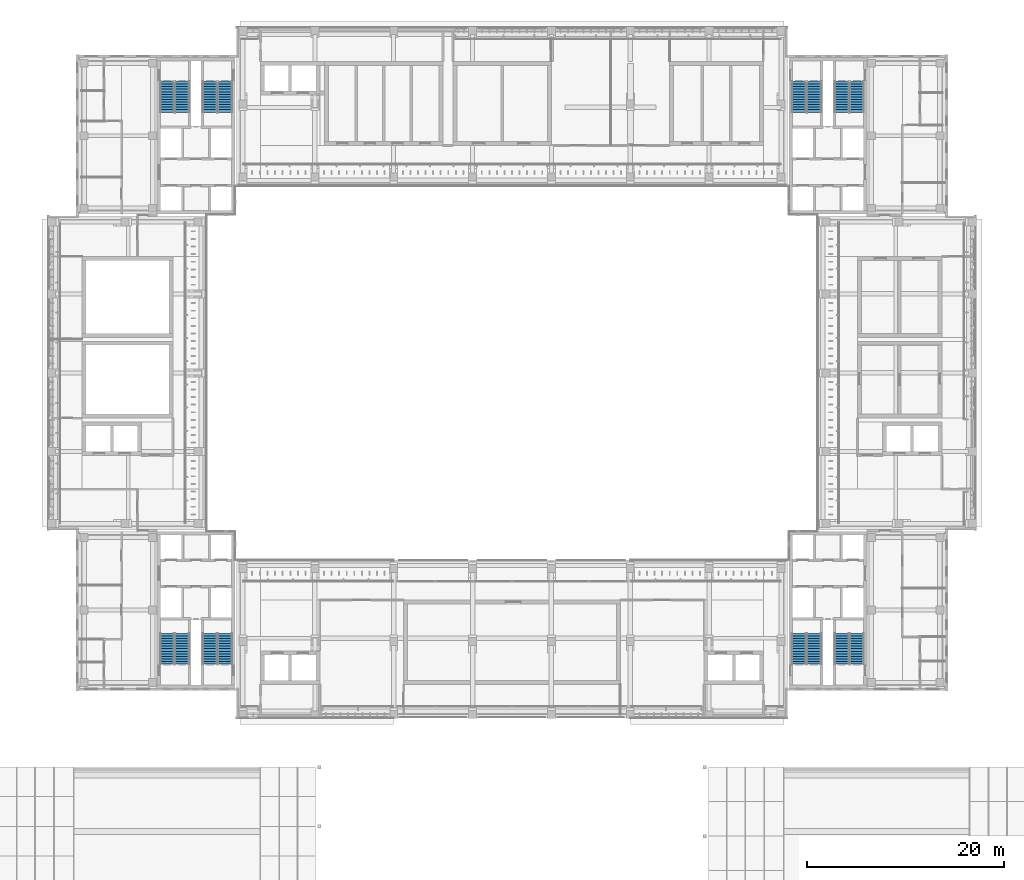
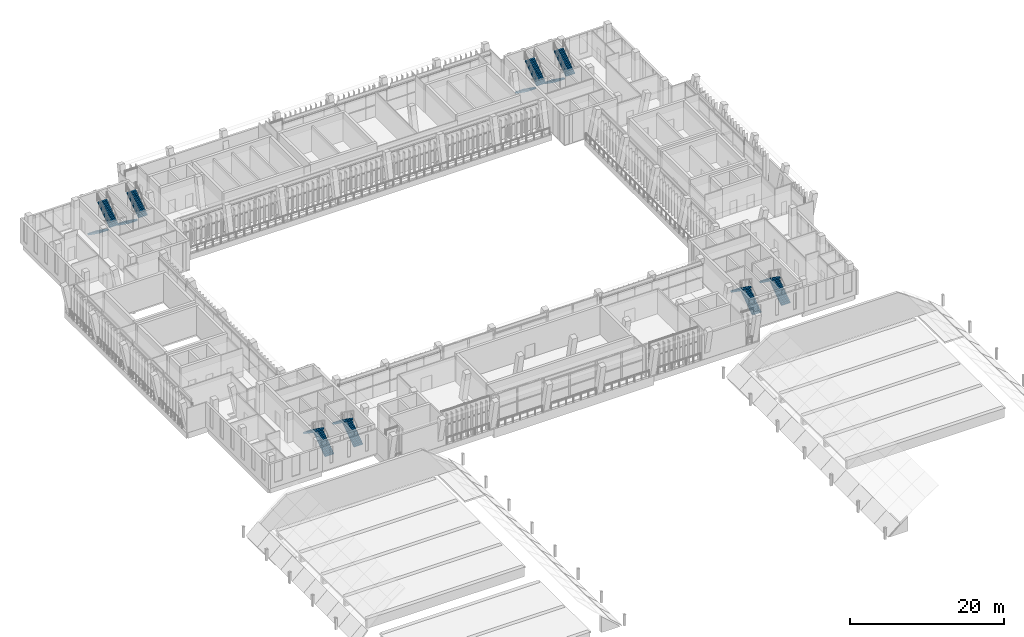
# One storey, part 69 of 89: 16 stair flights, 8 elements without a shape of their own.
"""IFC4 building model written with IfcOpenShell, lengths in metres."""

from ifc_helpers import new_model, si_unit, direction, frame, origin, place, context, subcontext, project, spatial, polyline, outline, extrude, material, type_object, element, aggregate, save


model = new_model("IFC4")

# Units and contexts
model_context = context("Model", 3, precision=1e-05, world=origin(), true_north=direction((0.0, 1.0)))
body_context = subcontext(model_context, "Body", "Model", "MODEL_VIEW")
ifc_project = project(units=[si_unit("LENGTHUNIT", "METRE"), si_unit("AREAUNIT", "SQUARE_METRE"), si_unit("VOLUMEUNIT", "CUBIC_METRE"), si_unit("PLANEANGLEUNIT", "RADIAN"), si_unit("MASSUNIT", "GRAM", prefix="KILO")], contexts=[model_context])

# Site, building, storey
site_placement = place(None, origin())
site = spatial("IfcSite", under=ifc_project, at=site_placement, CompositionType="ELEMENT")
building_placement = place(site_placement, origin())
building = spatial("IfcBuilding", under=site, at=building_placement, Name="Lantern Court Media Centre", CompositionType="ELEMENT")
storey_placement = place(building_placement, frame((0.0, 0.0, 14.39990234375)))
storey = spatial("IfcBuildingStorey", under=building, at=storey_placement, Name="L03", CompositionType="ELEMENT", Elevation=14.39990234375)

# Stair, stair flights
ifc_material = material(Name="Concrete C40", Category="concrete")
stair_type = type_object("IfcStairType", Name="Exit stair 1350", PredefinedType="HALF_TURN_STAIR", material=ifc_material)
stair_1_placement = place(storey_placement, origin())
stair_1 = element("IfcStair", 1, at=stair_1_placement, inside=storey, type_object=stair_type, Name="L03 SW exit stair A", PredefinedType="HALF_TURN_STAIR")
stair_flight_type = type_object("IfcStairFlightType", Name="Stair flight RC 1350", PredefinedType="STRAIGHT", material=ifc_material)
stair_flight_1_placement = place(storey_placement, frame((18.52490234375, 50.449951171875, 0.0), z_axis=(0.0, 0.0, 1.0), x_axis=(0.0, 1.0, 0.0)))
stair_flight_1 = element("IfcStairFlight", 2, at=stair_flight_1_placement, type_object=stair_flight_type, Name="ST-SWA flight 1", NumberOfRisers=13, NumberOfTreads=12, PredefinedType="STRAIGHT", RiserHeight=0.184615385, TreadLength=0.26, context=body_context, shape_type="SweptSolid", body=[
    extrude(outline(polyline([(0.0, 0.0), (0.0, 0.1845703125), (0.260009765625, 0.1845703125), (0.260009765625, 0.369140625), (0.52001953125, 0.369140625), (0.52001953125, 0.553955078125), (0.780029296875, 0.553955078125), (0.780029296875, 0.738525390625), (1.0400390625, 0.738525390625), (1.0400390625, 0.923095703125), (1.300048828125, 0.923095703125), (1.300048828125, 1.107666015625), (1.56005859375, 1.107666015625), (1.56005859375, 1.292236328125), (1.820068359375, 1.292236328125), (1.820068359375, 1.476806640625), (2.080078125, 1.476806640625), (2.080078125, 1.66162109375), (2.340087890625, 1.66162109375), (2.340087890625, 1.84619140625), (2.60009765625, 1.84619140625), (2.60009765625, 2.03076171875), (2.860107421875, 2.03076171875), (2.860107421875, 2.21533203125), (3.1201171875, 2.21533203125), (3.1201171875, 2.39990234375), (3.1201171875, 2.031494140625), (0.259033203125, 0.0), (0.0, 0.0)])), frame((0.0, 0.675048828125, 0.0), z_axis=(0.0, -1.0, 0.0), x_axis=(1.0, 0.0, 0.0)), (0.0, 0.0, 1.0), 1.35009765625),
])
stair_flight_2_placement = place(storey_placement, frame((17.02490234375, 53.570068359375, 2.400146484375), z_axis=(0.0, 0.0, 1.0), x_axis=(0.0, -1.0, 0.0)))
stair_flight_2 = element("IfcStairFlight", 3, at=stair_flight_2_placement, type_object=stair_flight_type, Name="ST-SWA flight 2", NumberOfRisers=13, NumberOfTreads=12, PredefinedType="STRAIGHT", RiserHeight=0.184615385, TreadLength=0.26, context=body_context, shape_type="SweptSolid", body=[
    extrude(outline(polyline([(0.0, 0.0), (0.0, 0.1845703125), (0.260009765625, 0.1845703125), (0.260009765625, 0.369140625), (0.52001953125, 0.369140625), (0.52001953125, 0.553955078125), (0.780029296875, 0.553955078125), (0.780029296875, 0.738525390625), (1.0400390625, 0.738525390625), (1.0400390625, 0.923095703125), (1.300048828125, 0.923095703125), (1.300048828125, 1.107666015625), (1.56005859375, 1.107666015625), (1.56005859375, 1.292236328125), (1.820068359375, 1.292236328125), (1.820068359375, 1.476806640625), (2.080078125, 1.476806640625), (2.080078125, 1.66162109375), (2.340087890625, 1.66162109375), (2.340087890625, 1.84619140625), (2.60009765625, 1.84619140625), (2.60009765625, 2.03076171875), (2.860107421875, 2.03076171875), (2.860107421875, 2.21533203125), (3.1201171875, 2.21533203125), (3.1201171875, 2.39990234375), (3.1201171875, 2.031494140625), (0.259033203125, 0.0), (0.0, 0.0)])), frame((0.0, 0.675048828125, 0.0), z_axis=(0.0, -1.0, 0.0), x_axis=(1.0, 0.0, 0.0)), (0.0, 0.0, 1.0), 1.35009765625),
])
aggregate(stair_1, [stair_flight_1, stair_flight_2])

stair_2_placement = place(storey_placement, origin())
stair_2 = element("IfcStair", 4, at=stair_2_placement, inside=storey, type_object=stair_type, Name="L03 SW exit stair B", PredefinedType="HALF_TURN_STAIR")
stair_flight_3_placement = place(storey_placement, frame((22.875, 50.449951171875, 0.0), z_axis=(0.0, 0.0, 1.0), x_axis=(0.0, 1.0, 0.0)))
stair_flight_3 = element("IfcStairFlight", 5, at=stair_flight_3_placement, type_object=stair_flight_type, Name="ST-SWB flight 1", NumberOfRisers=13, NumberOfTreads=12, PredefinedType="STRAIGHT", RiserHeight=0.184615385, TreadLength=0.26, context=body_context, shape_type="SweptSolid", body=[
    extrude(outline(polyline([(0.0, 0.0), (0.0, 0.1845703125), (0.260009765625, 0.1845703125), (0.260009765625, 0.369140625), (0.52001953125, 0.369140625), (0.52001953125, 0.553955078125), (0.780029296875, 0.553955078125), (0.780029296875, 0.738525390625), (1.0400390625, 0.738525390625), (1.0400390625, 0.923095703125), (1.300048828125, 0.923095703125), (1.300048828125, 1.107666015625), (1.56005859375, 1.107666015625), (1.56005859375, 1.292236328125), (1.820068359375, 1.292236328125), (1.820068359375, 1.476806640625), (2.080078125, 1.476806640625), (2.080078125, 1.66162109375), (2.340087890625, 1.66162109375), (2.340087890625, 1.84619140625), (2.60009765625, 1.84619140625), (2.60009765625, 2.03076171875), (2.860107421875, 2.03076171875), (2.860107421875, 2.21533203125), (3.1201171875, 2.21533203125), (3.1201171875, 2.39990234375), (3.1201171875, 2.031494140625), (0.259033203125, 0.0), (0.0, 0.0)])), frame((0.0, 0.675048828125, 0.0), z_axis=(0.0, -1.0, 0.0), x_axis=(1.0, 0.0, 0.0)), (0.0, 0.0, 1.0), 1.35009765625),
])
stair_flight_4_placement = place(storey_placement, frame((21.375, 53.570068359375, 2.400146484375), z_axis=(0.0, 0.0, 1.0), x_axis=(0.0, -1.0, 0.0)))
stair_flight_4 = element("IfcStairFlight", 6, at=stair_flight_4_placement, type_object=stair_flight_type, Name="ST-SWB flight 2", NumberOfRisers=13, NumberOfTreads=12, PredefinedType="STRAIGHT", RiserHeight=0.184615385, TreadLength=0.26, context=body_context, shape_type="SweptSolid", body=[
    extrude(outline(polyline([(0.0, 0.0), (0.0, 0.1845703125), (0.260009765625, 0.1845703125), (0.260009765625, 0.369140625), (0.52001953125, 0.369140625), (0.52001953125, 0.553955078125), (0.780029296875, 0.553955078125), (0.780029296875, 0.738525390625), (1.0400390625, 0.738525390625), (1.0400390625, 0.923095703125), (1.300048828125, 0.923095703125), (1.300048828125, 1.107666015625), (1.56005859375, 1.107666015625), (1.56005859375, 1.292236328125), (1.820068359375, 1.292236328125), (1.820068359375, 1.476806640625), (2.080078125, 1.476806640625), (2.080078125, 1.66162109375), (2.340087890625, 1.66162109375), (2.340087890625, 1.84619140625), (2.60009765625, 1.84619140625), (2.60009765625, 2.03076171875), (2.860107421875, 2.03076171875), (2.860107421875, 2.21533203125), (3.1201171875, 2.21533203125), (3.1201171875, 2.39990234375), (3.1201171875, 2.031494140625), (0.259033203125, 0.0), (0.0, 0.0)])), frame((0.0, 0.675048828125, 0.0), z_axis=(0.0, -1.0, 0.0), x_axis=(1.0, 0.0, 0.0)), (0.0, 0.0, 1.0), 1.35009765625),
])
aggregate(stair_2, [stair_flight_3, stair_flight_4])

stair_3_placement = place(storey_placement, origin())
stair_3 = element("IfcStair", 7, at=stair_3_placement, inside=storey, type_object=stair_type, Name="L03 SE exit stair A", PredefinedType="HALF_TURN_STAIR")
stair_flight_5_placement = place(storey_placement, frame((86.97509765625, 50.449951171875, 0.0), z_axis=(0.0, 0.0, 1.0), x_axis=(0.0, 1.0, 0.0)))
stair_flight_5 = element("IfcStairFlight", 8, at=stair_flight_5_placement, type_object=stair_flight_type, Name="ST-SEA flight 1", NumberOfRisers=13, NumberOfTreads=12, PredefinedType="STRAIGHT", RiserHeight=0.184615385, TreadLength=0.26, context=body_context, shape_type="SweptSolid", body=[
    extrude(outline(polyline([(0.0, 0.0), (0.0, 0.1845703125), (0.260009765625, 0.1845703125), (0.260009765625, 0.369140625), (0.52001953125, 0.369140625), (0.52001953125, 0.553955078125), (0.780029296875, 0.553955078125), (0.780029296875, 0.738525390625), (1.0400390625, 0.738525390625), (1.0400390625, 0.923095703125), (1.300048828125, 0.923095703125), (1.300048828125, 1.107666015625), (1.56005859375, 1.107666015625), (1.56005859375, 1.292236328125), (1.820068359375, 1.292236328125), (1.820068359375, 1.476806640625), (2.080078125, 1.476806640625), (2.080078125, 1.66162109375), (2.340087890625, 1.66162109375), (2.340087890625, 1.84619140625), (2.60009765625, 1.84619140625), (2.60009765625, 2.03076171875), (2.860107421875, 2.03076171875), (2.860107421875, 2.21533203125), (3.1201171875, 2.21533203125), (3.1201171875, 2.39990234375), (3.1201171875, 2.031494140625), (0.259033203125, 0.0), (0.0, 0.0)])), frame((0.0, 0.675048828125, 0.0), z_axis=(0.0, -1.0, 0.0), x_axis=(1.0, 0.0, 0.0)), (0.0, 0.0, 1.0), 1.35009765625),
])
stair_flight_6_placement = place(storey_placement, frame((85.47509765625, 53.570068359375, 2.400146484375), z_axis=(0.0, 0.0, 1.0), x_axis=(0.0, -1.0, 0.0)))
stair_flight_6 = element("IfcStairFlight", 9, at=stair_flight_6_placement, type_object=stair_flight_type, Name="ST-SEA flight 2", NumberOfRisers=13, NumberOfTreads=12, PredefinedType="STRAIGHT", RiserHeight=0.184615385, TreadLength=0.26, context=body_context, shape_type="SweptSolid", body=[
    extrude(outline(polyline([(0.0, 0.0), (0.0, 0.1845703125), (0.260009765625, 0.1845703125), (0.260009765625, 0.369140625), (0.52001953125, 0.369140625), (0.52001953125, 0.553955078125), (0.780029296875, 0.553955078125), (0.780029296875, 0.738525390625), (1.0400390625, 0.738525390625), (1.0400390625, 0.923095703125), (1.300048828125, 0.923095703125), (1.300048828125, 1.107666015625), (1.56005859375, 1.107666015625), (1.56005859375, 1.292236328125), (1.820068359375, 1.292236328125), (1.820068359375, 1.476806640625), (2.080078125, 1.476806640625), (2.080078125, 1.66162109375), (2.340087890625, 1.66162109375), (2.340087890625, 1.84619140625), (2.60009765625, 1.84619140625), (2.60009765625, 2.03076171875), (2.860107421875, 2.03076171875), (2.860107421875, 2.21533203125), (3.1201171875, 2.21533203125), (3.1201171875, 2.39990234375), (3.1201171875, 2.031494140625), (0.259033203125, 0.0), (0.0, 0.0)])), frame((0.0, 0.675048828125, 0.0), z_axis=(0.0, -1.0, 0.0), x_axis=(1.0, 0.0, 0.0)), (0.0, 0.0, 1.0), 1.35009765625),
])
aggregate(stair_3, [stair_flight_5, stair_flight_6])

stair_4_placement = place(storey_placement, origin())
stair_4 = element("IfcStair", 10, at=stair_4_placement, inside=storey, type_object=stair_type, Name="L03 SE exit stair B", PredefinedType="HALF_TURN_STAIR")
stair_flight_7_placement = place(storey_placement, frame((82.625, 50.449951171875, 0.0), z_axis=(0.0, 0.0, 1.0), x_axis=(0.0, 1.0, 0.0)))
stair_flight_7 = element("IfcStairFlight", 11, at=stair_flight_7_placement, type_object=stair_flight_type, Name="ST-SEB flight 1", NumberOfRisers=13, NumberOfTreads=12, PredefinedType="STRAIGHT", RiserHeight=0.184615385, TreadLength=0.26, context=body_context, shape_type="SweptSolid", body=[
    extrude(outline(polyline([(0.0, 0.0), (0.0, 0.1845703125), (0.260009765625, 0.1845703125), (0.260009765625, 0.369140625), (0.52001953125, 0.369140625), (0.52001953125, 0.553955078125), (0.780029296875, 0.553955078125), (0.780029296875, 0.738525390625), (1.0400390625, 0.738525390625), (1.0400390625, 0.923095703125), (1.300048828125, 0.923095703125), (1.300048828125, 1.107666015625), (1.56005859375, 1.107666015625), (1.56005859375, 1.292236328125), (1.820068359375, 1.292236328125), (1.820068359375, 1.476806640625), (2.080078125, 1.476806640625), (2.080078125, 1.66162109375), (2.340087890625, 1.66162109375), (2.340087890625, 1.84619140625), (2.60009765625, 1.84619140625), (2.60009765625, 2.03076171875), (2.860107421875, 2.03076171875), (2.860107421875, 2.21533203125), (3.1201171875, 2.21533203125), (3.1201171875, 2.39990234375), (3.1201171875, 2.031494140625), (0.259033203125, 0.0), (0.0, 0.0)])), frame((0.0, 0.675048828125, 0.0), z_axis=(0.0, -1.0, 0.0), x_axis=(1.0, 0.0, 0.0)), (0.0, 0.0, 1.0), 1.35009765625),
])
stair_flight_8_placement = place(storey_placement, frame((81.125, 53.570068359375, 2.400146484375), z_axis=(0.0, 0.0, 1.0), x_axis=(0.0, -1.0, 0.0)))
stair_flight_8 = element("IfcStairFlight", 12, at=stair_flight_8_placement, type_object=stair_flight_type, Name="ST-SEB flight 2", NumberOfRisers=13, NumberOfTreads=12, PredefinedType="STRAIGHT", RiserHeight=0.184615385, TreadLength=0.26, context=body_context, shape_type="SweptSolid", body=[
    extrude(outline(polyline([(0.0, 0.0), (0.0, 0.1845703125), (0.260009765625, 0.1845703125), (0.260009765625, 0.369140625), (0.52001953125, 0.369140625), (0.52001953125, 0.553955078125), (0.780029296875, 0.553955078125), (0.780029296875, 0.738525390625), (1.0400390625, 0.738525390625), (1.0400390625, 0.923095703125), (1.300048828125, 0.923095703125), (1.300048828125, 1.107666015625), (1.56005859375, 1.107666015625), (1.56005859375, 1.292236328125), (1.820068359375, 1.292236328125), (1.820068359375, 1.476806640625), (2.080078125, 1.476806640625), (2.080078125, 1.66162109375), (2.340087890625, 1.66162109375), (2.340087890625, 1.84619140625), (2.60009765625, 1.84619140625), (2.60009765625, 2.03076171875), (2.860107421875, 2.03076171875), (2.860107421875, 2.21533203125), (3.1201171875, 2.21533203125), (3.1201171875, 2.39990234375), (3.1201171875, 2.031494140625), (0.259033203125, 0.0), (0.0, 0.0)])), frame((0.0, 0.675048828125, 0.0), z_axis=(0.0, -1.0, 0.0), x_axis=(1.0, 0.0, 0.0)), (0.0, 0.0, 1.0), 1.35009765625),
])
aggregate(stair_4, [stair_flight_7, stair_flight_8])

stair_5_placement = place(storey_placement, origin())
stair_5 = element("IfcStair", 13, at=stair_5_placement, inside=storey, type_object=stair_type, Name="L03 NW exit stair A", PredefinedType="HALF_TURN_STAIR")
stair_flight_9_placement = place(storey_placement, frame((17.02490234375, 109.550048828125, 0.0), z_axis=(0.0, 0.0, 1.0), x_axis=(0.0, -1.0, 0.0)))
stair_flight_9 = element("IfcStairFlight", 14, at=stair_flight_9_placement, type_object=stair_flight_type, Name="ST-NWA flight 1", NumberOfRisers=13, NumberOfTreads=12, PredefinedType="STRAIGHT", RiserHeight=0.184615385, TreadLength=0.26, context=body_context, shape_type="SweptSolid", body=[
    extrude(outline(polyline([(0.0, 0.0), (0.0, 0.1845703125), (0.260009765625, 0.1845703125), (0.260009765625, 0.369140625), (0.52001953125, 0.369140625), (0.52001953125, 0.553955078125), (0.780029296875, 0.553955078125), (0.780029296875, 0.738525390625), (1.0400390625, 0.738525390625), (1.0400390625, 0.923095703125), (1.300048828125, 0.923095703125), (1.300048828125, 1.107666015625), (1.56005859375, 1.107666015625), (1.56005859375, 1.292236328125), (1.820068359375, 1.292236328125), (1.820068359375, 1.476806640625), (2.080078125, 1.476806640625), (2.080078125, 1.66162109375), (2.340087890625, 1.66162109375), (2.340087890625, 1.84619140625), (2.60009765625, 1.84619140625), (2.60009765625, 2.03076171875), (2.860107421875, 2.03076171875), (2.860107421875, 2.21533203125), (3.1201171875, 2.21533203125), (3.1201171875, 2.39990234375), (3.1201171875, 2.031494140625), (0.259033203125, 0.0), (0.0, 0.0)])), frame((0.0, 0.675048828125, 0.0), z_axis=(0.0, -1.0, 0.0), x_axis=(1.0, 0.0, 0.0)), (0.0, 0.0, 1.0), 1.35009765625),
])
stair_flight_10_placement = place(storey_placement, frame((18.52490234375, 106.429931640625, 2.400146484375), z_axis=(0.0, 0.0, 1.0), x_axis=(0.0, 1.0, 0.0)))
stair_flight_10 = element("IfcStairFlight", 15, at=stair_flight_10_placement, type_object=stair_flight_type, Name="ST-NWA flight 2", NumberOfRisers=13, NumberOfTreads=12, PredefinedType="STRAIGHT", RiserHeight=0.184615385, TreadLength=0.26, context=body_context, shape_type="SweptSolid", body=[
    extrude(outline(polyline([(0.0, 0.0), (0.0, 0.1845703125), (0.260009765625, 0.1845703125), (0.260009765625, 0.369140625), (0.52001953125, 0.369140625), (0.52001953125, 0.553955078125), (0.780029296875, 0.553955078125), (0.780029296875, 0.738525390625), (1.0400390625, 0.738525390625), (1.0400390625, 0.923095703125), (1.300048828125, 0.923095703125), (1.300048828125, 1.107666015625), (1.56005859375, 1.107666015625), (1.56005859375, 1.292236328125), (1.820068359375, 1.292236328125), (1.820068359375, 1.476806640625), (2.080078125, 1.476806640625), (2.080078125, 1.66162109375), (2.340087890625, 1.66162109375), (2.340087890625, 1.84619140625), (2.60009765625, 1.84619140625), (2.60009765625, 2.03076171875), (2.860107421875, 2.03076171875), (2.860107421875, 2.21533203125), (3.1201171875, 2.21533203125), (3.1201171875, 2.39990234375), (3.1201171875, 2.031494140625), (0.259033203125, 0.0), (0.0, 0.0)])), frame((0.0, 0.675048828125, 0.0), z_axis=(0.0, -1.0, 0.0), x_axis=(1.0, 0.0, 0.0)), (0.0, 0.0, 1.0), 1.35009765625),
])
aggregate(stair_5, [stair_flight_9, stair_flight_10])

stair_6_placement = place(storey_placement, origin())
stair_6 = element("IfcStair", 16, at=stair_6_placement, inside=storey, type_object=stair_type, Name="L03 NW exit stair B", PredefinedType="HALF_TURN_STAIR")
stair_flight_11_placement = place(storey_placement, frame((21.375, 109.550048828125, 0.0), z_axis=(0.0, 0.0, 1.0), x_axis=(0.0, -1.0, 0.0)))
stair_flight_11 = element("IfcStairFlight", 17, at=stair_flight_11_placement, type_object=stair_flight_type, Name="ST-NWB flight 1", NumberOfRisers=13, NumberOfTreads=12, PredefinedType="STRAIGHT", RiserHeight=0.184615385, TreadLength=0.26, context=body_context, shape_type="SweptSolid", body=[
    extrude(outline(polyline([(0.0, 0.0), (0.0, 0.1845703125), (0.260009765625, 0.1845703125), (0.260009765625, 0.369140625), (0.52001953125, 0.369140625), (0.52001953125, 0.553955078125), (0.780029296875, 0.553955078125), (0.780029296875, 0.738525390625), (1.0400390625, 0.738525390625), (1.0400390625, 0.923095703125), (1.300048828125, 0.923095703125), (1.300048828125, 1.107666015625), (1.56005859375, 1.107666015625), (1.56005859375, 1.292236328125), (1.820068359375, 1.292236328125), (1.820068359375, 1.476806640625), (2.080078125, 1.476806640625), (2.080078125, 1.66162109375), (2.340087890625, 1.66162109375), (2.340087890625, 1.84619140625), (2.60009765625, 1.84619140625), (2.60009765625, 2.03076171875), (2.860107421875, 2.03076171875), (2.860107421875, 2.21533203125), (3.1201171875, 2.21533203125), (3.1201171875, 2.39990234375), (3.1201171875, 2.031494140625), (0.259033203125, 0.0), (0.0, 0.0)])), frame((0.0, 0.675048828125, 0.0), z_axis=(0.0, -1.0, 0.0), x_axis=(1.0, 0.0, 0.0)), (0.0, 0.0, 1.0), 1.35009765625),
])
stair_flight_12_placement = place(storey_placement, frame((22.875, 106.429931640625, 2.400146484375), z_axis=(0.0, 0.0, 1.0), x_axis=(0.0, 1.0, 0.0)))
stair_flight_12 = element("IfcStairFlight", 18, at=stair_flight_12_placement, type_object=stair_flight_type, Name="ST-NWB flight 2", NumberOfRisers=13, NumberOfTreads=12, PredefinedType="STRAIGHT", RiserHeight=0.184615385, TreadLength=0.26, context=body_context, shape_type="SweptSolid", body=[
    extrude(outline(polyline([(0.0, 0.0), (0.0, 0.1845703125), (0.260009765625, 0.1845703125), (0.260009765625, 0.369140625), (0.52001953125, 0.369140625), (0.52001953125, 0.553955078125), (0.780029296875, 0.553955078125), (0.780029296875, 0.738525390625), (1.0400390625, 0.738525390625), (1.0400390625, 0.923095703125), (1.300048828125, 0.923095703125), (1.300048828125, 1.107666015625), (1.56005859375, 1.107666015625), (1.56005859375, 1.292236328125), (1.820068359375, 1.292236328125), (1.820068359375, 1.476806640625), (2.080078125, 1.476806640625), (2.080078125, 1.66162109375), (2.340087890625, 1.66162109375), (2.340087890625, 1.84619140625), (2.60009765625, 1.84619140625), (2.60009765625, 2.03076171875), (2.860107421875, 2.03076171875), (2.860107421875, 2.21533203125), (3.1201171875, 2.21533203125), (3.1201171875, 2.39990234375), (3.1201171875, 2.031494140625), (0.259033203125, 0.0), (0.0, 0.0)])), frame((0.0, 0.675048828125, 0.0), z_axis=(0.0, -1.0, 0.0), x_axis=(1.0, 0.0, 0.0)), (0.0, 0.0, 1.0), 1.35009765625),
])
aggregate(stair_6, [stair_flight_11, stair_flight_12])

stair_7_placement = place(storey_placement, origin())
stair_7 = element("IfcStair", 19, at=stair_7_placement, inside=storey, type_object=stair_type, Name="L03 NE exit stair A", PredefinedType="HALF_TURN_STAIR")
stair_flight_13_placement = place(storey_placement, frame((85.47509765625, 109.550048828125, 0.0), z_axis=(0.0, 0.0, 1.0), x_axis=(0.0, -1.0, 0.0)))
stair_flight_13 = element("IfcStairFlight", 20, at=stair_flight_13_placement, type_object=stair_flight_type, Name="ST-NEA flight 1", NumberOfRisers=13, NumberOfTreads=12, PredefinedType="STRAIGHT", RiserHeight=0.184615385, TreadLength=0.26, context=body_context, shape_type="SweptSolid", body=[
    extrude(outline(polyline([(0.0, 0.0), (0.0, 0.1845703125), (0.260009765625, 0.1845703125), (0.260009765625, 0.369140625), (0.52001953125, 0.369140625), (0.52001953125, 0.553955078125), (0.780029296875, 0.553955078125), (0.780029296875, 0.738525390625), (1.0400390625, 0.738525390625), (1.0400390625, 0.923095703125), (1.300048828125, 0.923095703125), (1.300048828125, 1.107666015625), (1.56005859375, 1.107666015625), (1.56005859375, 1.292236328125), (1.820068359375, 1.292236328125), (1.820068359375, 1.476806640625), (2.080078125, 1.476806640625), (2.080078125, 1.66162109375), (2.340087890625, 1.66162109375), (2.340087890625, 1.84619140625), (2.60009765625, 1.84619140625), (2.60009765625, 2.03076171875), (2.860107421875, 2.03076171875), (2.860107421875, 2.21533203125), (3.1201171875, 2.21533203125), (3.1201171875, 2.39990234375), (3.1201171875, 2.031494140625), (0.259033203125, 0.0), (0.0, 0.0)])), frame((0.0, 0.675048828125, 0.0), z_axis=(0.0, -1.0, 0.0), x_axis=(1.0, 0.0, 0.0)), (0.0, 0.0, 1.0), 1.35009765625),
])
stair_flight_14_placement = place(storey_placement, frame((86.97509765625, 106.429931640625, 2.400146484375), z_axis=(0.0, 0.0, 1.0), x_axis=(0.0, 1.0, 0.0)))
stair_flight_14 = element("IfcStairFlight", 21, at=stair_flight_14_placement, type_object=stair_flight_type, Name="ST-NEA flight 2", NumberOfRisers=13, NumberOfTreads=12, PredefinedType="STRAIGHT", RiserHeight=0.184615385, TreadLength=0.26, context=body_context, shape_type="SweptSolid", body=[
    extrude(outline(polyline([(0.0, 0.0), (0.0, 0.1845703125), (0.260009765625, 0.1845703125), (0.260009765625, 0.369140625), (0.52001953125, 0.369140625), (0.52001953125, 0.553955078125), (0.780029296875, 0.553955078125), (0.780029296875, 0.738525390625), (1.0400390625, 0.738525390625), (1.0400390625, 0.923095703125), (1.300048828125, 0.923095703125), (1.300048828125, 1.107666015625), (1.56005859375, 1.107666015625), (1.56005859375, 1.292236328125), (1.820068359375, 1.292236328125), (1.820068359375, 1.476806640625), (2.080078125, 1.476806640625), (2.080078125, 1.66162109375), (2.340087890625, 1.66162109375), (2.340087890625, 1.84619140625), (2.60009765625, 1.84619140625), (2.60009765625, 2.03076171875), (2.860107421875, 2.03076171875), (2.860107421875, 2.21533203125), (3.1201171875, 2.21533203125), (3.1201171875, 2.39990234375), (3.1201171875, 2.031494140625), (0.259033203125, 0.0), (0.0, 0.0)])), frame((0.0, 0.675048828125, 0.0), z_axis=(0.0, -1.0, 0.0), x_axis=(1.0, 0.0, 0.0)), (0.0, 0.0, 1.0), 1.35009765625),
])
aggregate(stair_7, [stair_flight_13, stair_flight_14])

stair_8_placement = place(storey_placement, origin())
stair_8 = element("IfcStair", 22, at=stair_8_placement, inside=storey, type_object=stair_type, Name="L03 NE exit stair B", PredefinedType="HALF_TURN_STAIR")
stair_flight_15_placement = place(storey_placement, frame((81.125, 109.550048828125, 0.0), z_axis=(0.0, 0.0, 1.0), x_axis=(0.0, -1.0, 0.0)))
stair_flight_15 = element("IfcStairFlight", 23, at=stair_flight_15_placement, type_object=stair_flight_type, Name="ST-NEB flight 1", NumberOfRisers=13, NumberOfTreads=12, PredefinedType="STRAIGHT", RiserHeight=0.184615385, TreadLength=0.26, context=body_context, shape_type="SweptSolid", body=[
    extrude(outline(polyline([(0.0, 0.0), (0.0, 0.1845703125), (0.260009765625, 0.1845703125), (0.260009765625, 0.369140625), (0.52001953125, 0.369140625), (0.52001953125, 0.553955078125), (0.780029296875, 0.553955078125), (0.780029296875, 0.738525390625), (1.0400390625, 0.738525390625), (1.0400390625, 0.923095703125), (1.300048828125, 0.923095703125), (1.300048828125, 1.107666015625), (1.56005859375, 1.107666015625), (1.56005859375, 1.292236328125), (1.820068359375, 1.292236328125), (1.820068359375, 1.476806640625), (2.080078125, 1.476806640625), (2.080078125, 1.66162109375), (2.340087890625, 1.66162109375), (2.340087890625, 1.84619140625), (2.60009765625, 1.84619140625), (2.60009765625, 2.03076171875), (2.860107421875, 2.03076171875), (2.860107421875, 2.21533203125), (3.1201171875, 2.21533203125), (3.1201171875, 2.39990234375), (3.1201171875, 2.031494140625), (0.259033203125, 0.0), (0.0, 0.0)])), frame((0.0, 0.675048828125, 0.0), z_axis=(0.0, -1.0, 0.0), x_axis=(1.0, 0.0, 0.0)), (0.0, 0.0, 1.0), 1.35009765625),
])
stair_flight_16_placement = place(storey_placement, frame((82.625, 106.429931640625, 2.400146484375), z_axis=(0.0, 0.0, 1.0), x_axis=(0.0, 1.0, 0.0)))
stair_flight_16 = element("IfcStairFlight", 24, at=stair_flight_16_placement, type_object=stair_flight_type, Name="ST-NEB flight 2", NumberOfRisers=13, NumberOfTreads=12, PredefinedType="STRAIGHT", RiserHeight=0.184615385, TreadLength=0.26, context=body_context, shape_type="SweptSolid", body=[
    extrude(outline(polyline([(0.0, 0.0), (0.0, 0.1845703125), (0.260009765625, 0.1845703125), (0.260009765625, 0.369140625), (0.52001953125, 0.369140625), (0.52001953125, 0.553955078125), (0.780029296875, 0.553955078125), (0.780029296875, 0.738525390625), (1.0400390625, 0.738525390625), (1.0400390625, 0.923095703125), (1.300048828125, 0.923095703125), (1.300048828125, 1.107666015625), (1.56005859375, 1.107666015625), (1.56005859375, 1.292236328125), (1.820068359375, 1.292236328125), (1.820068359375, 1.476806640625), (2.080078125, 1.476806640625), (2.080078125, 1.66162109375), (2.340087890625, 1.66162109375), (2.340087890625, 1.84619140625), (2.60009765625, 1.84619140625), (2.60009765625, 2.03076171875), (2.860107421875, 2.03076171875), (2.860107421875, 2.21533203125), (3.1201171875, 2.21533203125), (3.1201171875, 2.39990234375), (3.1201171875, 2.031494140625), (0.259033203125, 0.0), (0.0, 0.0)])), frame((0.0, 0.675048828125, 0.0), z_axis=(0.0, -1.0, 0.0), x_axis=(1.0, 0.0, 0.0)), (0.0, 0.0, 1.0), 1.35009765625),
])
aggregate(stair_8, [stair_flight_15, stair_flight_16])

save(model, "model.ifc")
